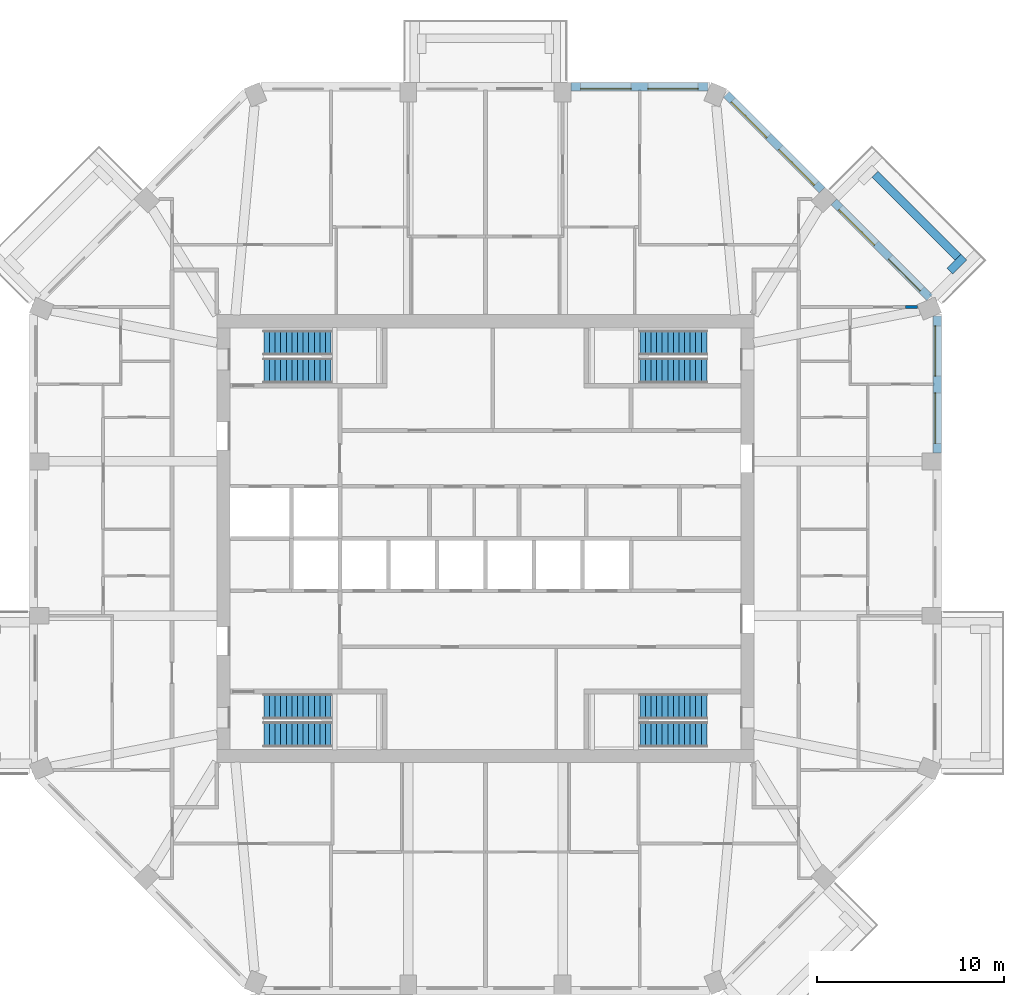
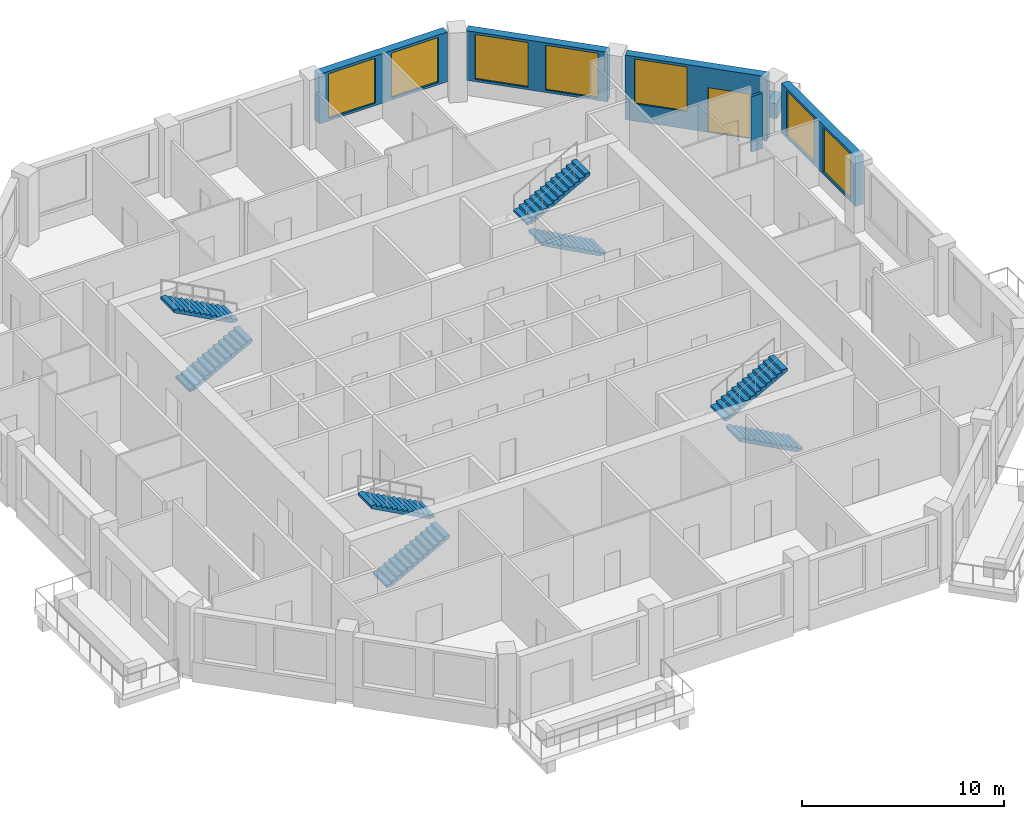
# One storey, part 9 of 10: 8 stair flights, 7 walls, 7 windows, 1 door, 8 openings, 4 elements without a shape of their own.
"""IFC4 building model written with IfcOpenShell, lengths in metres."""

import ifcopenshell
import ifcopenshell.guid

model = None  # the IFC model being written
_history = None  # IfcOwnerHistory: only IFC2X3 demands one
_inside = {}  # id of a spatial element -> (the spatial element, [elements in it])
_under = {}  # id of a project, library or spatial element -> (it, [spatial elements below it])
_declared = {}  # id of a project -> (the project, [libraries it declares])
_typed = {}  # id of a type object -> (the type object, [elements of that type])
_made_of = {}  # id of a material, layer set ... -> (it, [elements and type objects made of it])


def new_model(schema):
    """Start an empty IFC model of exactly this schema.

    Asked for "IFC4X3", IfcOpenShell would pick the latest addendum, in which some entities
    have other attributes; the version numbers below select the first issue.
    IFC2X3 requires an IfcOwnerHistory on every rooted entity: one is made here for all.
    """
    global model, _history
    if schema == "IFC4X3":
        model = ifcopenshell.file(schema_version=(4, 3, 0, 0))
    else:
        model = ifcopenshell.file(schema=schema)
    _inside.clear()
    _under.clear()
    _declared.clear()
    _typed.clear()
    _made_of.clear()
    _history = None
    if model.schema == "IFC2X3":
        org = make("IfcOrganization", Name="unknown")
        user = make(
            "IfcPersonAndOrganization",
            ThePerson=make("IfcPerson", FamilyName="unknown"),
            TheOrganization=org,
        )
        app = make(
            "IfcApplication",
            ApplicationDeveloper=org,
            Version="unknown",
            ApplicationFullName="unknown",
            ApplicationIdentifier="unknown",
        )
        _history = make(
            "IfcOwnerHistory",
            OwningUser=user,
            OwningApplication=app,
            ChangeAction="ADDED",
            CreationDate=0,
        )
    return model


def make(cls, **values):
    """One entity of the class cls with the attributes given. An attribute that is None is left unset."""
    return model.create_entity(
        cls, **{name: value for name, value in values.items() if value is not None}
    )


def rooted(cls, **values):
    """An entity with a GlobalId (a new one), such as an element, a storey or a relation."""
    return make(cls, GlobalId=ifcopenshell.guid.new(), OwnerHistory=_history, **values)


def si_unit(unit_type, name, prefix=None):
    """IfcSIUnit, for example si_unit("LENGTHUNIT", "METRE", prefix="MILLI")."""
    return make("IfcSIUnit", UnitType=unit_type, Prefix=prefix, Name=name)


def assignment(units):
    """IfcUnitAssignment: the units of a project."""
    return None if units is None else make("IfcUnitAssignment", Units=units)


def point(xyz):
    """IfcCartesianPoint."""
    return None if xyz is None else make("IfcCartesianPoint", Coordinates=xyz)


def direction(xyz):
    """IfcDirection."""
    return None if xyz is None else make("IfcDirection", DirectionRatios=xyz)


def frame(location, z_axis=None, x_axis=None):
    """IfcAxis2Placement3D, a coordinate frame: its origin and axes. An axis left out is left unset."""
    return make(
        "IfcAxis2Placement3D",
        Location=point(location),
        Axis=direction(z_axis),
        RefDirection=direction(x_axis),
    )


def frame_2d(location, x_axis=None):
    """IfcAxis2Placement2D, a coordinate frame in the plane: its origin and x axis."""
    return make(
        "IfcAxis2Placement2D", Location=point(location), RefDirection=direction(x_axis)
    )


def origin():
    """The frame at (0, 0, 0) with its axes left unset."""
    return frame((0.0, 0.0, 0.0))


def place(relative_to, where):
    """IfcLocalPlacement: puts the frame where relative to a parent placement (None: the world)."""
    return make(
        "IfcLocalPlacement", PlacementRelTo=relative_to, RelativePlacement=where
    )


def context(
    kind, dimensions, precision=None, world=None, true_north=None, identifier=None
):
    """IfcGeometricRepresentationContext, for example the 3D "Model" context."""
    return make(
        "IfcGeometricRepresentationContext",
        ContextIdentifier=identifier,
        ContextType=kind,
        CoordinateSpaceDimension=dimensions,
        Precision=precision,
        WorldCoordinateSystem=world,
        TrueNorth=true_north,
    )


def subcontext(parent, identifier, kind, view, scale=None):
    """IfcGeometricRepresentationSubContext, for example "Body" below "Model"."""
    return make(
        "IfcGeometricRepresentationSubContext",
        ContextIdentifier=identifier,
        ContextType=kind,
        ParentContext=parent,
        TargetScale=scale,
        TargetView=view,
    )


def project(units=None, contexts=None):
    """IfcProject with its units and contexts."""
    return rooted(
        "IfcProject",
        Name="project",
        RepresentationContexts=contexts,
        UnitsInContext=assignment(units),
    )


def spatial(cls, under=None, at=None, **own):
    """A site, building, storey or space (cls), placed at a placement, below another one or the project."""
    s = rooted(cls, ObjectPlacement=at, **own)
    if under is not None:
        _under.setdefault(under.id(), (under, []))[1].append(s)
    return s


def polyline(points):
    """IfcPolyline through the points."""
    return make("IfcPolyline", Points=[point(p) for p in points])


def profile(cls, at=None, kind="AREA", **sizes):
    """A parametric profile (cls). Its sizes go by their IFC names, for example OverallWidth=200.0."""
    return make(cls, ProfileType=kind, Position=at, **sizes)


def rectangle(**sizes):
    """IfcRectangleProfileDef."""
    return profile("IfcRectangleProfileDef", **sizes)


def outline(outer, holes=None, kind="AREA"):
    """IfcArbitraryClosedProfileDef: a profile drawn as a closed curve; with holes, ...WithVoids."""
    if holes is None:
        return make("IfcArbitraryClosedProfileDef", ProfileType=kind, OuterCurve=outer)
    return make(
        "IfcArbitraryProfileDefWithVoids",
        ProfileType=kind,
        OuterCurve=outer,
        InnerCurves=holes,
    )


def extrude(swept, where, along, depth):
    """IfcExtrudedAreaSolid: the profile swept, set in the frame where, extruded along a direction by depth."""
    return make(
        "IfcExtrudedAreaSolid",
        SweptArea=swept,
        Position=where,
        ExtrudedDirection=direction(along),
        Depth=depth,
    )


def shape(context_of_items, identifier, shape_type, items):
    """IfcShapeRepresentation: the items that make up one representation, for example the "Body"."""
    return make(
        "IfcShapeRepresentation",
        ContextOfItems=context_of_items,
        RepresentationIdentifier=identifier,
        RepresentationType=shape_type,
        Items=items,
    )


def material(Name=None, Category=None):
    """IfcMaterial."""
    return make("IfcMaterial", Name=Name, Category=Category)


def layer(
    of_material, thickness, ventilated=None, Name=None, Category=None, Priority=None
):
    """IfcMaterialLayer: one layer of a wall or slab, of a material (None: an air gap)."""
    return make(
        "IfcMaterialLayer",
        Material=of_material,
        LayerThickness=thickness,
        IsVentilated=ventilated,
        Name=Name,
        Category=Category,
        Priority=Priority,
    )


def layer_set(layers, Name=None):
    """IfcMaterialLayerSet."""
    return make("IfcMaterialLayerSet", MaterialLayers=layers, LayerSetName=Name)


def made_of(thing, what):
    """Note that an element or type object is made of a material, layer set ...; save() writes the relation."""
    if what is not None:
        _made_of.setdefault(what.id(), (what, []))[1].append(thing)
    return thing


def type_object(cls, material=None, **own):
    """A type object (cls), such as IfcWallType, which elements share."""
    return made_of(rooted(cls, **own), material)


def element(
    cls,
    number,
    at=None,
    inside=None,
    cuts=None,
    type_object=None,
    material=None,
    context=None,
    identifier="Body",
    shape_type=None,
    held_by="IfcProductDefinitionShape",
    body=None,
    shapes=None,
    **own,
):
    """One element of the class cls, such as IfcWall. Its Tag is "e" and its number.

    at: its placement. inside: the storey or other place that contains it. cuts: it is an
    opening in that element (IfcRelVoidsElement). A single representation is given by context,
    identifier, shape_type and body (its items); several are given by shapes. held_by: the class
    of the entity that holds the representations. save() writes the other relations.
    """
    e = rooted(cls, Tag="e%d" % number, ObjectPlacement=at, **own)
    if body is not None:
        shapes = [shape(context, identifier, shape_type, body)]
    if shapes is not None:
        e.Representation = make(held_by, Representations=shapes)
    if inside is not None:
        _inside.setdefault(inside.id(), (inside, []))[1].append(e)
    if cuts is not None:
        rooted(
            "IfcRelVoidsElement", RelatingBuildingElement=cuts, RelatedOpeningElement=e
        )
    if type_object is not None:
        _typed.setdefault(type_object.id(), (type_object, []))[1].append(e)
    return made_of(e, material)


def fill(opening, filler):
    """IfcRelFillsElement: the door or window that sits in an opening."""
    return rooted(
        "IfcRelFillsElement",
        RelatingOpeningElement=opening,
        RelatedBuildingElement=filler,
    )


def aggregate(whole, parts):
    """IfcRelAggregates: a whole, such as a stair, and the parts it consists of."""
    return rooted("IfcRelAggregates", RelatingObject=whole, RelatedObjects=parts)


def save(model, path):
    """Write the relations noted so far, then the file.

    IfcRelAggregates (storeys below a building ...), IfcRelContainedInSpatialStructure (elements
    in a storey), IfcRelDefinesByType, IfcRelAssociatesMaterial and IfcRelDeclares: one each for
    every whole, place, type object, material and project.
    """
    for whole, parts in _under.values():
        aggregate(whole, parts)
    for where, things in _inside.values():
        rooted(
            "IfcRelContainedInSpatialStructure",
            RelatedElements=things,
            RelatingStructure=where,
        )
    for kind, things in _typed.values():
        rooted("IfcRelDefinesByType", RelatedObjects=things, RelatingType=kind)
    for what, things in _made_of.values():
        rooted("IfcRelAssociatesMaterial", RelatedObjects=things, RelatingMaterial=what)
    for by, libraries in _declared.values():
        rooted("IfcRelDeclares", RelatingContext=by, RelatedDefinitions=libraries)
    model.write(path)


model = new_model("IFC4")

# Units and contexts
model_context = context("Model", 3, precision=1e-05, world=origin(), true_north=direction((0.0, 1.0)))
body_context = subcontext(model_context, "Body", "Model", "MODEL_VIEW")
ifc_project = project(units=[si_unit("LENGTHUNIT", "METRE"), si_unit("AREAUNIT", "SQUARE_METRE"), si_unit("VOLUMEUNIT", "CUBIC_METRE"), si_unit("PLANEANGLEUNIT", "RADIAN"), si_unit("MASSUNIT", "GRAM", prefix="KILO")], contexts=[model_context])

# Site, building, storey
site_placement = place(None, origin())
site = spatial("IfcSite", under=ifc_project, at=site_placement, CompositionType="ELEMENT")
building_placement = place(site_placement, origin())
building = spatial("IfcBuilding", under=site, at=building_placement, Name="Msitu Wima Residences", CompositionType="ELEMENT")
storey_placement = place(building_placement, frame((0.0, 0.0, 187.5)))
storey = spatial("IfcBuildingStorey", under=building, at=storey_placement, Name="L43", CompositionType="ELEMENT", Elevation=187.5)

# Walls
ifc_material_1 = material(Name="Facing brick")
ifc_layer_1 = layer(ifc_material_1, 0.06494140625, Name="Facing brick")
ifc_material_2 = material(Name="Concrete C40/50", Category="concrete")
ifc_layer_2 = layer(ifc_material_2, 0.156005859375, Name="Concrete C40/50")
ifc_material_3 = material(Name="Waterproofing membrane")
ifc_layer_3 = layer(ifc_material_3, 0.00390625, Name="Waterproofing membrane")
ifc_material_4 = material(Name="Planting soil and planting")
ifc_layer_4 = layer(ifc_material_4, 0.22509765625, Name="Planting soil and planting")
ifc_layer_set_1 = layer_set([ifc_layer_1, ifc_layer_2, ifc_layer_3, ifc_layer_4], Name="Concrete C40/50")
wall_type_1 = type_object("IfcWallType", Name="Balcony planter PLANTER PL450", PredefinedType="USERDEFINED", material=ifc_layer_set_1)
wall_1_placement = place(storey_placement, frame((25.325927734375, 15.0810546875, 0.0), z_axis=(0.0, 0.0, 1.0), x_axis=(-0.707106781187, 0.707106781187, 0.0)))
element("IfcWall", 1, at=wall_1_placement, inside=storey, type_object=wall_type_1, Name="Balcony planter NE0 L43", ObjectType="PLANTER", PredefinedType="USERDEFINED", context=body_context, shape_type="SweptSolid", body=[
    extrude(rectangle(XDim=6.294189453125, YDim=0.449951171875, at=frame_2d((3.14697265625, 0.0))), origin(), (0.0, 0.0, 1.0), 0.89990234375),
])
wall_2_placement = place(storey_placement, frame((24.901611328125, 14.338623046875, 0.0), z_axis=(0.0, 0.0, 1.0), x_axis=(0.707106781187, 0.707106781187, 0.0)))
element("IfcWall", 2, at=wall_2_placement, inside=storey, type_object=wall_type_1, Name="Balcony planter NE0 L43", ObjectType="PLANTER", PredefinedType="USERDEFINED", context=body_context, shape_type="SweptSolid", body=[
    extrude(rectangle(XDim=1.050048828125, YDim=0.449951171875, at=frame_2d((0.52490234375, 0.0))), origin(), (0.0, 0.0, 1.0), 0.89990234375),
])

# Wall, openings, windows
ifc_material_5 = material(Name="Brick (red buff mix)", Category="masonry")
ifc_layer_5 = layer(ifc_material_5, 0.449951171875)
ifc_layer_set_2 = layer_set([ifc_layer_5], Name="Brick (red buff mix)")
wall_type_2 = type_object("IfcWallType", Name="Brick infill wall BW450", PredefinedType="SOLIDWALL", material=ifc_layer_set_2)
wall_3_placement = place(storey_placement, frame((24.22509765625, 4.587158203125, 0.89990234375), z_axis=(0.0, 0.0, 1.0), x_axis=(0.0, 1.0, 0.0)))
wall_3 = element("IfcWall", 3, at=wall_3_placement, inside=storey, type_object=wall_type_2, Name="Brick infill wall L43 E2", PredefinedType="SOLIDWALL", context=body_context, shape_type="SweptSolid", body=[
    extrude(rectangle(XDim=7.337646484375, YDim=0.449951171875, at=frame_2d((3.6689453125, 0.0))), origin(), (0.0, 0.0, 1.0), 3.0),
])
opening_1_placement = place(wall_3_placement, frame((0.518798828125, 0.0, 0.14990234375)))
opening_1 = element("IfcOpeningElement", 4, at=opening_1_placement, cuts=wall_3, Name="Opening W43-45.004", PredefinedType="OPENING", context=body_context, shape_type="SweptSolid", body=[
    extrude(rectangle(XDim=2.699951171875, YDim=2.699951171875, at=frame_2d((1.35009765625, 1.35009765625))), frame((0.0, 0.23486328125, 0.0), z_axis=(0.0, -1.0, 0.0), x_axis=(1.0, 0.0, 0.0)), (0.0, 0.0, 1.0), 0.469970703125),
])
opening_2_placement = place(wall_3_placement, frame((4.11865234375, 0.0, 0.14990234375)))
opening_2 = element("IfcOpeningElement", 5, at=opening_2_placement, cuts=wall_3, Name="Opening W43-45.005", PredefinedType="OPENING", context=body_context, shape_type="SweptSolid", body=[
    extrude(rectangle(XDim=2.699951171875, YDim=2.699951171875, at=frame_2d((1.35009765625, 1.35009765625))), frame((0.0, 0.23486328125, 0.0), z_axis=(0.0, -1.0, 0.0), x_axis=(1.0, 0.0, 0.0)), (0.0, 0.0, 1.0), 0.469970703125),
])
ifc_material_6 = material(Name="Anodised aluminium, bronze finish, clear low-emissivity double glazing", Category="aluminium")
window_type = type_object("IfcWindowType", Name="Window W2700x2700", PartitioningType="DOUBLE_PANEL_VERTICAL", PredefinedType="WINDOW", material=ifc_material_6)
window_1_placement = place(opening_1_placement, origin())
window_1 = element("IfcWindow", 6, at=window_1_placement, inside=storey, type_object=window_type, Name="Window L43 E2.1", OverallHeight=2.699951171875, OverallWidth=2.699951171875, PartitioningType="SINGLE_PANEL", PredefinedType="WINDOW", context=body_context, shape_type="SweptSolid", body=[
    extrude(rectangle(XDim=2.699951171875, YDim=2.699951171875, at=frame_2d((1.35009765625, 1.35009765625))), frame((0.0, 0.135009765625, 0.0), z_axis=(0.0, -1.0, 0.0), x_axis=(1.0, 0.0, 0.0)), (0.0, 0.0, 1.0), 0.06005859375),
])
fill(opening_1, window_1)
window_2_placement = place(opening_2_placement, origin())
window_2 = element("IfcWindow", 7, at=window_2_placement, inside=storey, type_object=window_type, Name="Window L43 E2.2", OverallHeight=2.699951171875, OverallWidth=2.699951171875, PartitioningType="SINGLE_PANEL", PredefinedType="WINDOW", context=body_context, shape_type="SweptSolid", body=[
    extrude(rectangle(XDim=2.699951171875, YDim=2.699951171875, at=frame_2d((1.35009765625, 1.35009765625))), frame((0.0, 0.135009765625, 0.0), z_axis=(0.0, -1.0, 0.0), x_axis=(1.0, 0.0, 0.0)), (0.0, 0.0, 1.0), 0.06005859375),
])
fill(opening_2, window_2)

# Wall, openings, door, window
wall_4_placement = place(storey_placement, frame((23.814697265625, 12.915283203125, 0.0), z_axis=(0.0, 0.0, 1.0), x_axis=(-0.707106781187, 0.707106781187, 0.0)))
wall_4 = element("IfcWall", 8, at=wall_4_placement, inside=storey, type_object=wall_type_2, Name="Brick infill wall L43 NE0", PredefinedType="SOLIDWALL", context=body_context, shape_type="SweptSolid", body=[
    extrude(rectangle(XDim=7.257080078125, YDim=0.449951171875, at=frame_2d((3.62841796875, 0.0))), origin(), (0.0, 0.0, 1.0), 3.89990234375),
])
opening_3_placement = place(wall_4_placement, frame((0.6142578125, 0.0, 0.0)))
opening_3 = element("IfcOpeningElement", 9, at=opening_3_placement, cuts=wall_4, Name="Opening D43-45.003", PredefinedType="OPENING", context=body_context, shape_type="SweptSolid", body=[
    extrude(rectangle(XDim=2.39990234375, YDim=2.699951171875, at=frame_2d((1.199951171875, 1.35009765625))), frame((0.0, 0.23486328125, 0.0), z_axis=(0.0, -1.0, 0.0), x_axis=(1.0, 0.0, 0.0)), (0.0, 0.0, 1.0), 0.469970703125),
])
opening_4_placement = place(wall_4_placement, frame((4.07861328125, 0.0, 1.050048828125)))
opening_4 = element("IfcOpeningElement", 10, at=opening_4_placement, cuts=wall_4, Name="Opening W43-45.011", PredefinedType="OPENING", context=body_context, shape_type="SweptSolid", body=[
    extrude(rectangle(XDim=2.699951171875, YDim=2.699951171875, at=frame_2d((1.35009765625, 1.35009765625))), frame((0.0, 0.23486328125, 0.0), z_axis=(0.0, -1.0, 0.0), x_axis=(1.0, 0.0, 0.0)), (0.0, 0.0, 1.0), 0.469970703125),
])
door_type = type_object("IfcDoorType", Name="Balcony door D2400x2700", OperationType="SLIDING_TO_LEFT", PredefinedType="DOOR", material=ifc_material_6)
door_placement = place(opening_3_placement, origin())
door = element("IfcDoor", 11, at=door_placement, inside=storey, type_object=door_type, Name="Balcony door L43 NE0", OperationType="SINGLE_SWING_LEFT", OverallHeight=2.699951171875, OverallWidth=2.39990234375, PredefinedType="DOOR", context=body_context, shape_type="SweptSolid", body=[
    extrude(rectangle(XDim=2.39990234375, YDim=2.699951171875, at=frame_2d((1.199951171875, 1.35009765625))), frame((0.0, 0.1298828125, 0.0), z_axis=(0.0, -1.0, 0.0), x_axis=(1.0, 0.0, 0.0)), (0.0, 0.0, 1.0), 0.050048828125),
])
fill(opening_3, door)
window_3_placement = place(opening_4_placement, origin())
window_3 = element("IfcWindow", 12, at=window_3_placement, inside=storey, type_object=window_type, Name="Window L43 NE0.2", OverallHeight=2.699951171875, OverallWidth=2.699951171875, PartitioningType="SINGLE_PANEL", PredefinedType="WINDOW", context=body_context, shape_type="SweptSolid", body=[
    extrude(rectangle(XDim=2.699951171875, YDim=2.699951171875, at=frame_2d((1.35009765625, 1.35009765625))), frame((0.0, 0.135009765625, 0.0), z_axis=(0.0, -1.0, 0.0), x_axis=(1.0, 0.0, 0.0)), (0.0, 0.0, 1.0), 0.06005859375),
])
fill(opening_4, window_3)

# Wall, openings, windows
wall_5_placement = place(storey_placement, frame((18.046875, 18.68310546875, 0.89990234375), z_axis=(0.0, 0.0, 1.0), x_axis=(-0.707106781187, 0.707106781187, 0.0)))
wall_5 = element("IfcWall", 13, at=wall_5_placement, inside=storey, type_object=wall_type_2, Name="Brick infill wall L43 NE1", PredefinedType="SOLIDWALL", context=body_context, shape_type="SweptSolid", body=[
    extrude(rectangle(XDim=7.257080078125, YDim=0.449951171875, at=frame_2d((3.62841796875, 0.0))), origin(), (0.0, 0.0, 1.0), 3.0),
])
opening_5_placement = place(wall_5_placement, frame((0.478515625, 0.0, 0.14990234375)))
opening_5 = element("IfcOpeningElement", 14, at=opening_5_placement, cuts=wall_5, Name="Opening W43-45.012", PredefinedType="OPENING", context=body_context, shape_type="SweptSolid", body=[
    extrude(rectangle(XDim=2.699951171875, YDim=2.699951171875, at=frame_2d((1.35009765625, 1.35009765625))), frame((0.0, 0.23486328125, 0.0), z_axis=(0.0, -1.0, 0.0), x_axis=(1.0, 0.0, 0.0)), (0.0, 0.0, 1.0), 0.469970703125),
])
opening_6_placement = place(wall_5_placement, frame((4.07861328125, 0.0, 0.14990234375)))
opening_6 = element("IfcOpeningElement", 15, at=opening_6_placement, cuts=wall_5, Name="Opening W43-45.013", PredefinedType="OPENING", context=body_context, shape_type="SweptSolid", body=[
    extrude(rectangle(XDim=2.699951171875, YDim=2.699951171875, at=frame_2d((1.35009765625, 1.35009765625))), frame((0.0, 0.23486328125, 0.0), z_axis=(0.0, -1.0, 0.0), x_axis=(1.0, 0.0, 0.0)), (0.0, 0.0, 1.0), 0.469970703125),
])
window_4_placement = place(opening_5_placement, origin())
window_4 = element("IfcWindow", 16, at=window_4_placement, inside=storey, type_object=window_type, Name="Window L43 NE1.1", OverallHeight=2.699951171875, OverallWidth=2.699951171875, PartitioningType="SINGLE_PANEL", PredefinedType="WINDOW", context=body_context, shape_type="SweptSolid", body=[
    extrude(rectangle(XDim=2.699951171875, YDim=2.699951171875, at=frame_2d((1.35009765625, 1.35009765625))), frame((0.0, 0.135009765625, 0.0), z_axis=(0.0, -1.0, 0.0), x_axis=(1.0, 0.0, 0.0)), (0.0, 0.0, 1.0), 0.06005859375),
])
fill(opening_5, window_4)
window_5_placement = place(opening_6_placement, origin())
window_5 = element("IfcWindow", 17, at=window_5_placement, inside=storey, type_object=window_type, Name="Window L43 NE1.2", OverallHeight=2.699951171875, OverallWidth=2.699951171875, PartitioningType="SINGLE_PANEL", PredefinedType="WINDOW", context=body_context, shape_type="SweptSolid", body=[
    extrude(rectangle(XDim=2.699951171875, YDim=2.699951171875, at=frame_2d((1.35009765625, 1.35009765625))), frame((0.0, 0.135009765625, 0.0), z_axis=(0.0, -1.0, 0.0), x_axis=(1.0, 0.0, 0.0)), (0.0, 0.0, 1.0), 0.06005859375),
])
fill(opening_6, window_5)

wall_6_placement = place(storey_placement, frame((11.9248046875, 24.22509765625, 0.89990234375), z_axis=(0.0, 0.0, 1.0), x_axis=(-1.0, 0.0, 0.0)))
wall_6 = element("IfcWall", 18, at=wall_6_placement, inside=storey, type_object=wall_type_2, Name="Brick infill wall L43 N0", PredefinedType="SOLIDWALL", context=body_context, shape_type="SweptSolid", body=[
    extrude(rectangle(XDim=7.337646484375, YDim=0.449951171875, at=frame_2d((3.6689453125, 0.0))), origin(), (0.0, 0.0, 1.0), 3.0),
])
opening_7_placement = place(wall_6_placement, frame((0.518798828125, 0.0, 0.14990234375)))
opening_7 = element("IfcOpeningElement", 19, at=opening_7_placement, cuts=wall_6, Name="Opening W43-45.006", PredefinedType="OPENING", context=body_context, shape_type="SweptSolid", body=[
    extrude(rectangle(XDim=2.699951171875, YDim=2.699951171875, at=frame_2d((1.35009765625, 1.35009765625))), frame((0.0, 0.23486328125, 0.0), z_axis=(0.0, -1.0, 0.0), x_axis=(1.0, 0.0, 0.0)), (0.0, 0.0, 1.0), 0.469970703125),
])
opening_8_placement = place(wall_6_placement, frame((4.11865234375, 0.0, 0.14990234375)))
opening_8 = element("IfcOpeningElement", 20, at=opening_8_placement, cuts=wall_6, Name="Opening W43-45.007", PredefinedType="OPENING", context=body_context, shape_type="SweptSolid", body=[
    extrude(rectangle(XDim=2.699951171875, YDim=2.699951171875, at=frame_2d((1.35009765625, 1.35009765625))), frame((0.0, 0.23486328125, 0.0), z_axis=(0.0, -1.0, 0.0), x_axis=(1.0, 0.0, 0.0)), (0.0, 0.0, 1.0), 0.469970703125),
])
window_6_placement = place(opening_7_placement, origin())
window_6 = element("IfcWindow", 21, at=window_6_placement, inside=storey, type_object=window_type, Name="Window L43 N0.1", OverallHeight=2.699951171875, OverallWidth=2.699951171875, PartitioningType="SINGLE_PANEL", PredefinedType="WINDOW", context=body_context, shape_type="SweptSolid", body=[
    extrude(rectangle(XDim=2.699951171875, YDim=2.699951171875, at=frame_2d((1.35009765625, 1.35009765625))), frame((0.0, 0.135009765625, 0.0), z_axis=(0.0, -1.0, 0.0), x_axis=(1.0, 0.0, 0.0)), (0.0, 0.0, 1.0), 0.06005859375),
])
fill(opening_7, window_6)
window_7_placement = place(opening_8_placement, origin())
window_7 = element("IfcWindow", 22, at=window_7_placement, inside=storey, type_object=window_type, Name="Window L43 N0.2", OverallHeight=2.699951171875, OverallWidth=2.699951171875, PartitioningType="SINGLE_PANEL", PredefinedType="WINDOW", context=body_context, shape_type="SweptSolid", body=[
    extrude(rectangle(XDim=2.699951171875, YDim=2.699951171875, at=frame_2d((1.35009765625, 1.35009765625))), frame((0.0, 0.135009765625, 0.0), z_axis=(0.0, -1.0, 0.0), x_axis=(1.0, 0.0, 0.0)), (0.0, 0.0, 1.0), 0.06005859375),
])
fill(opening_8, window_7)

# Wall
ifc_material_7 = material(Name="Plaster")
ifc_layer_6 = layer(ifc_material_7, 0.011962890625, Name="Plaster")
ifc_material_8 = material(Name="Concrete blockwork", Category="masonry")
ifc_layer_7 = layer(ifc_material_8, 0.1259765625, Name="Concrete blockwork")
ifc_layer_8 = layer(ifc_material_7, 0.011962890625, Name="Plaster")
ifc_layer_set_3 = layer_set([ifc_layer_6, ifc_layer_7, ifc_layer_8], Name="Concrete blockwork")
wall_type_3 = type_object("IfcWallType", Name="Partition PW150", PredefinedType="PARTITIONING", material=ifc_layer_set_3)
wall_7_placement = place(storey_placement, frame((22.529296875, 12.409912109375, 0.0), z_axis=(0.0, 0.0, 1.0), x_axis=(1.0, 0.0, 0.0)))
element("IfcWall", 23, at=wall_7_placement, inside=storey, type_object=wall_type_3, Name="Partition", PredefinedType="PARTITIONING", context=body_context, shape_type="SweptSolid", body=[
    extrude(rectangle(XDim=0.640380859375, YDim=0.14990234375, at=frame_2d((0.3203125, 0.0))), origin(), (0.0, 0.0, 1.0), 3.35009765625),
])

# Stair, stair flights
stair_type = type_object("IfcStairType", Name="Exit stair ES1615-135", PredefinedType="HALF_TURN_STAIR", material=ifc_material_2)
stair_1_placement = place(storey_placement, origin())
stair_1 = element("IfcStair", 24, at=stair_1_placement, inside=storey, type_object=stair_type, Name="Exit stair 1", PredefinedType="HALF_TURN_STAIR")
stair_flight_type = type_object("IfcStairFlightType", Name="Exit stair flight ES1615-135", PredefinedType="STRAIGHT", material=ifc_material_2)
stair_flight_1_placement = place(storey_placement, frame((-11.875, 9.0, 0.0), z_axis=(0.0, 0.0, 1.0), x_axis=(1.0, 0.0, 0.0)))
stair_flight_1 = element("IfcStairFlight", 25, at=stair_flight_1_placement, type_object=stair_flight_type, Name="S1 flight 1", NumberOfRisers=13, NumberOfTreads=12, PredefinedType="STRAIGHT", RiserHeight=0.161538462, TreadLength=0.3, context=body_context, shape_type="SweptSolid", body=[
    extrude(outline(polyline([(0.0, 0.0), (0.0, 0.16162109375), (0.300048828125, 0.16162109375), (0.300048828125, 0.322998046875), (0.60009765625, 0.322998046875), (0.60009765625, 0.484619140625), (0.89990234375, 0.484619140625), (0.89990234375, 0.646240234375), (1.199951171875, 0.646240234375), (1.199951171875, 0.8076171875), (1.5, 0.8076171875), (1.5, 0.96923828125), (1.800048828125, 0.96923828125), (1.800048828125, 1.130859375), (2.10009765625, 1.130859375), (2.10009765625, 1.292236328125), (2.39990234375, 1.292236328125), (2.39990234375, 1.453857421875), (2.699951171875, 1.453857421875), (2.699951171875, 1.615478515625), (3.0, 1.615478515625), (3.0, 1.77685546875), (3.300048828125, 1.77685546875), (3.300048828125, 1.9384765625), (3.60009765625, 1.9384765625), (3.60009765625, 2.10009765625), (3.60009765625, 1.768310546875), (0.316162109375, 0.0), (0.0, 0.0)])), frame((0.0, 0.675048828125, 0.0), z_axis=(0.0, -1.0, 0.0), x_axis=(1.0, 0.0, 0.0)), (0.0, 0.0, 1.0), 1.35009765625),
])
stair_flight_2_placement = place(storey_placement, frame((-8.27490234375, 10.5, 2.10009765625), z_axis=(0.0, 0.0, 1.0), x_axis=(-1.0, 0.0, 0.0)))
stair_flight_2 = element("IfcStairFlight", 26, at=stair_flight_2_placement, type_object=stair_flight_type, Name="S1 flight 2", NumberOfRisers=13, NumberOfTreads=12, PredefinedType="STRAIGHT", RiserHeight=0.161538462, TreadLength=0.3, context=body_context, shape_type="SweptSolid", body=[
    extrude(outline(polyline([(0.0, 0.0), (0.0, 0.16162109375), (0.300048828125, 0.16162109375), (0.300048828125, 0.322998046875), (0.60009765625, 0.322998046875), (0.60009765625, 0.484619140625), (0.89990234375, 0.484619140625), (0.89990234375, 0.646240234375), (1.199951171875, 0.646240234375), (1.199951171875, 0.8076171875), (1.5, 0.8076171875), (1.5, 0.96923828125), (1.800048828125, 0.96923828125), (1.800048828125, 1.130859375), (2.10009765625, 1.130859375), (2.10009765625, 1.292236328125), (2.39990234375, 1.292236328125), (2.39990234375, 1.453857421875), (2.699951171875, 1.453857421875), (2.699951171875, 1.615478515625), (3.0, 1.615478515625), (3.0, 1.77685546875), (3.300048828125, 1.77685546875), (3.300048828125, 1.9384765625), (3.60009765625, 1.9384765625), (3.60009765625, 2.10009765625), (3.60009765625, 1.768310546875), (0.316162109375, 0.0), (0.0, 0.0)])), frame((0.0, 0.675048828125, 0.0), z_axis=(0.0, -1.0, 0.0), x_axis=(1.0, 0.0, 0.0)), (0.0, 0.0, 1.0), 1.35009765625),
])
aggregate(stair_1, [stair_flight_1, stair_flight_2])

stair_2_placement = place(storey_placement, origin())
stair_2 = element("IfcStair", 27, at=stair_2_placement, inside=storey, type_object=stair_type, Name="Exit stair 2", PredefinedType="HALF_TURN_STAIR")
stair_flight_3_placement = place(storey_placement, frame((-11.875, -10.5, 0.0), z_axis=(0.0, 0.0, 1.0), x_axis=(1.0, 0.0, 0.0)))
stair_flight_3 = element("IfcStairFlight", 28, at=stair_flight_3_placement, type_object=stair_flight_type, Name="S2 flight 1", NumberOfRisers=13, NumberOfTreads=12, PredefinedType="STRAIGHT", RiserHeight=0.161538462, TreadLength=0.3, context=body_context, shape_type="SweptSolid", body=[
    extrude(outline(polyline([(0.0, 0.0), (0.0, 0.16162109375), (0.300048828125, 0.16162109375), (0.300048828125, 0.322998046875), (0.60009765625, 0.322998046875), (0.60009765625, 0.484619140625), (0.89990234375, 0.484619140625), (0.89990234375, 0.646240234375), (1.199951171875, 0.646240234375), (1.199951171875, 0.8076171875), (1.5, 0.8076171875), (1.5, 0.96923828125), (1.800048828125, 0.96923828125), (1.800048828125, 1.130859375), (2.10009765625, 1.130859375), (2.10009765625, 1.292236328125), (2.39990234375, 1.292236328125), (2.39990234375, 1.453857421875), (2.699951171875, 1.453857421875), (2.699951171875, 1.615478515625), (3.0, 1.615478515625), (3.0, 1.77685546875), (3.300048828125, 1.77685546875), (3.300048828125, 1.9384765625), (3.60009765625, 1.9384765625), (3.60009765625, 2.10009765625), (3.60009765625, 1.768310546875), (0.316162109375, 0.0), (0.0, 0.0)])), frame((0.0, 0.675048828125, 0.0), z_axis=(0.0, -1.0, 0.0), x_axis=(1.0, 0.0, 0.0)), (0.0, 0.0, 1.0), 1.35009765625),
])
stair_flight_4_placement = place(storey_placement, frame((-8.27490234375, -9.0, 2.10009765625), z_axis=(0.0, 0.0, 1.0), x_axis=(-1.0, 0.0, 0.0)))
stair_flight_4 = element("IfcStairFlight", 29, at=stair_flight_4_placement, type_object=stair_flight_type, Name="S2 flight 2", NumberOfRisers=13, NumberOfTreads=12, PredefinedType="STRAIGHT", RiserHeight=0.161538462, TreadLength=0.3, context=body_context, shape_type="SweptSolid", body=[
    extrude(outline(polyline([(0.0, 0.0), (0.0, 0.16162109375), (0.300048828125, 0.16162109375), (0.300048828125, 0.322998046875), (0.60009765625, 0.322998046875), (0.60009765625, 0.484619140625), (0.89990234375, 0.484619140625), (0.89990234375, 0.646240234375), (1.199951171875, 0.646240234375), (1.199951171875, 0.8076171875), (1.5, 0.8076171875), (1.5, 0.96923828125), (1.800048828125, 0.96923828125), (1.800048828125, 1.130859375), (2.10009765625, 1.130859375), (2.10009765625, 1.292236328125), (2.39990234375, 1.292236328125), (2.39990234375, 1.453857421875), (2.699951171875, 1.453857421875), (2.699951171875, 1.615478515625), (3.0, 1.615478515625), (3.0, 1.77685546875), (3.300048828125, 1.77685546875), (3.300048828125, 1.9384765625), (3.60009765625, 1.9384765625), (3.60009765625, 2.10009765625), (3.60009765625, 1.768310546875), (0.316162109375, 0.0), (0.0, 0.0)])), frame((0.0, 0.675048828125, 0.0), z_axis=(0.0, -1.0, 0.0), x_axis=(1.0, 0.0, 0.0)), (0.0, 0.0, 1.0), 1.35009765625),
])
aggregate(stair_2, [stair_flight_3, stair_flight_4])

stair_3_placement = place(storey_placement, origin())
stair_3 = element("IfcStair", 30, at=stair_3_placement, inside=storey, type_object=stair_type, Name="Exit stair 3", PredefinedType="HALF_TURN_STAIR")
stair_flight_5_placement = place(storey_placement, frame((11.875, 9.0, 0.0), z_axis=(0.0, 0.0, 1.0), x_axis=(-1.0, 0.0, 0.0)))
stair_flight_5 = element("IfcStairFlight", 31, at=stair_flight_5_placement, type_object=stair_flight_type, Name="S3 flight 1", NumberOfRisers=13, NumberOfTreads=12, PredefinedType="STRAIGHT", RiserHeight=0.161538462, TreadLength=0.3, context=body_context, shape_type="SweptSolid", body=[
    extrude(outline(polyline([(0.0, 0.0), (0.0, 0.16162109375), (0.300048828125, 0.16162109375), (0.300048828125, 0.322998046875), (0.60009765625, 0.322998046875), (0.60009765625, 0.484619140625), (0.89990234375, 0.484619140625), (0.89990234375, 0.646240234375), (1.199951171875, 0.646240234375), (1.199951171875, 0.8076171875), (1.5, 0.8076171875), (1.5, 0.96923828125), (1.800048828125, 0.96923828125), (1.800048828125, 1.130859375), (2.10009765625, 1.130859375), (2.10009765625, 1.292236328125), (2.39990234375, 1.292236328125), (2.39990234375, 1.453857421875), (2.699951171875, 1.453857421875), (2.699951171875, 1.615478515625), (3.0, 1.615478515625), (3.0, 1.77685546875), (3.300048828125, 1.77685546875), (3.300048828125, 1.9384765625), (3.60009765625, 1.9384765625), (3.60009765625, 2.10009765625), (3.60009765625, 1.768310546875), (0.316162109375, 0.0), (0.0, 0.0)])), frame((0.0, 0.675048828125, 0.0), z_axis=(0.0, -1.0, 0.0), x_axis=(1.0, 0.0, 0.0)), (0.0, 0.0, 1.0), 1.35009765625),
])
stair_flight_6_placement = place(storey_placement, frame((8.27490234375, 10.5, 2.10009765625), z_axis=(0.0, 0.0, 1.0), x_axis=(1.0, 0.0, 0.0)))
stair_flight_6 = element("IfcStairFlight", 32, at=stair_flight_6_placement, type_object=stair_flight_type, Name="S3 flight 2", NumberOfRisers=13, NumberOfTreads=12, PredefinedType="STRAIGHT", RiserHeight=0.161538462, TreadLength=0.3, context=body_context, shape_type="SweptSolid", body=[
    extrude(outline(polyline([(0.0, 0.0), (0.0, 0.16162109375), (0.300048828125, 0.16162109375), (0.300048828125, 0.322998046875), (0.60009765625, 0.322998046875), (0.60009765625, 0.484619140625), (0.89990234375, 0.484619140625), (0.89990234375, 0.646240234375), (1.199951171875, 0.646240234375), (1.199951171875, 0.8076171875), (1.5, 0.8076171875), (1.5, 0.96923828125), (1.800048828125, 0.96923828125), (1.800048828125, 1.130859375), (2.10009765625, 1.130859375), (2.10009765625, 1.292236328125), (2.39990234375, 1.292236328125), (2.39990234375, 1.453857421875), (2.699951171875, 1.453857421875), (2.699951171875, 1.615478515625), (3.0, 1.615478515625), (3.0, 1.77685546875), (3.300048828125, 1.77685546875), (3.300048828125, 1.9384765625), (3.60009765625, 1.9384765625), (3.60009765625, 2.10009765625), (3.60009765625, 1.768310546875), (0.316162109375, 0.0), (0.0, 0.0)])), frame((0.0, 0.675048828125, 0.0), z_axis=(0.0, -1.0, 0.0), x_axis=(1.0, 0.0, 0.0)), (0.0, 0.0, 1.0), 1.35009765625),
])
aggregate(stair_3, [stair_flight_5, stair_flight_6])

stair_4_placement = place(storey_placement, origin())
stair_4 = element("IfcStair", 33, at=stair_4_placement, inside=storey, type_object=stair_type, Name="Exit stair 4", PredefinedType="HALF_TURN_STAIR")
stair_flight_7_placement = place(storey_placement, frame((11.875, -10.5, 0.0), z_axis=(0.0, 0.0, 1.0), x_axis=(-1.0, 0.0, 0.0)))
stair_flight_7 = element("IfcStairFlight", 34, at=stair_flight_7_placement, type_object=stair_flight_type, Name="S4 flight 1", NumberOfRisers=13, NumberOfTreads=12, PredefinedType="STRAIGHT", RiserHeight=0.161538462, TreadLength=0.3, context=body_context, shape_type="SweptSolid", body=[
    extrude(outline(polyline([(0.0, 0.0), (0.0, 0.16162109375), (0.300048828125, 0.16162109375), (0.300048828125, 0.322998046875), (0.60009765625, 0.322998046875), (0.60009765625, 0.484619140625), (0.89990234375, 0.484619140625), (0.89990234375, 0.646240234375), (1.199951171875, 0.646240234375), (1.199951171875, 0.8076171875), (1.5, 0.8076171875), (1.5, 0.96923828125), (1.800048828125, 0.96923828125), (1.800048828125, 1.130859375), (2.10009765625, 1.130859375), (2.10009765625, 1.292236328125), (2.39990234375, 1.292236328125), (2.39990234375, 1.453857421875), (2.699951171875, 1.453857421875), (2.699951171875, 1.615478515625), (3.0, 1.615478515625), (3.0, 1.77685546875), (3.300048828125, 1.77685546875), (3.300048828125, 1.9384765625), (3.60009765625, 1.9384765625), (3.60009765625, 2.10009765625), (3.60009765625, 1.768310546875), (0.316162109375, 0.0), (0.0, 0.0)])), frame((0.0, 0.675048828125, 0.0), z_axis=(0.0, -1.0, 0.0), x_axis=(1.0, 0.0, 0.0)), (0.0, 0.0, 1.0), 1.35009765625),
])
stair_flight_8_placement = place(storey_placement, frame((8.27490234375, -9.0, 2.10009765625), z_axis=(0.0, 0.0, 1.0), x_axis=(1.0, 0.0, 0.0)))
stair_flight_8 = element("IfcStairFlight", 35, at=stair_flight_8_placement, type_object=stair_flight_type, Name="S4 flight 2", NumberOfRisers=13, NumberOfTreads=12, PredefinedType="STRAIGHT", RiserHeight=0.161538462, TreadLength=0.3, context=body_context, shape_type="SweptSolid", body=[
    extrude(outline(polyline([(0.0, 0.0), (0.0, 0.16162109375), (0.300048828125, 0.16162109375), (0.300048828125, 0.322998046875), (0.60009765625, 0.322998046875), (0.60009765625, 0.484619140625), (0.89990234375, 0.484619140625), (0.89990234375, 0.646240234375), (1.199951171875, 0.646240234375), (1.199951171875, 0.8076171875), (1.5, 0.8076171875), (1.5, 0.96923828125), (1.800048828125, 0.96923828125), (1.800048828125, 1.130859375), (2.10009765625, 1.130859375), (2.10009765625, 1.292236328125), (2.39990234375, 1.292236328125), (2.39990234375, 1.453857421875), (2.699951171875, 1.453857421875), (2.699951171875, 1.615478515625), (3.0, 1.615478515625), (3.0, 1.77685546875), (3.300048828125, 1.77685546875), (3.300048828125, 1.9384765625), (3.60009765625, 1.9384765625), (3.60009765625, 2.10009765625), (3.60009765625, 1.768310546875), (0.316162109375, 0.0), (0.0, 0.0)])), frame((0.0, 0.675048828125, 0.0), z_axis=(0.0, -1.0, 0.0), x_axis=(1.0, 0.0, 0.0)), (0.0, 0.0, 1.0), 1.35009765625),
])
aggregate(stair_4, [stair_flight_7, stair_flight_8])

save(model, "model.ifc")
